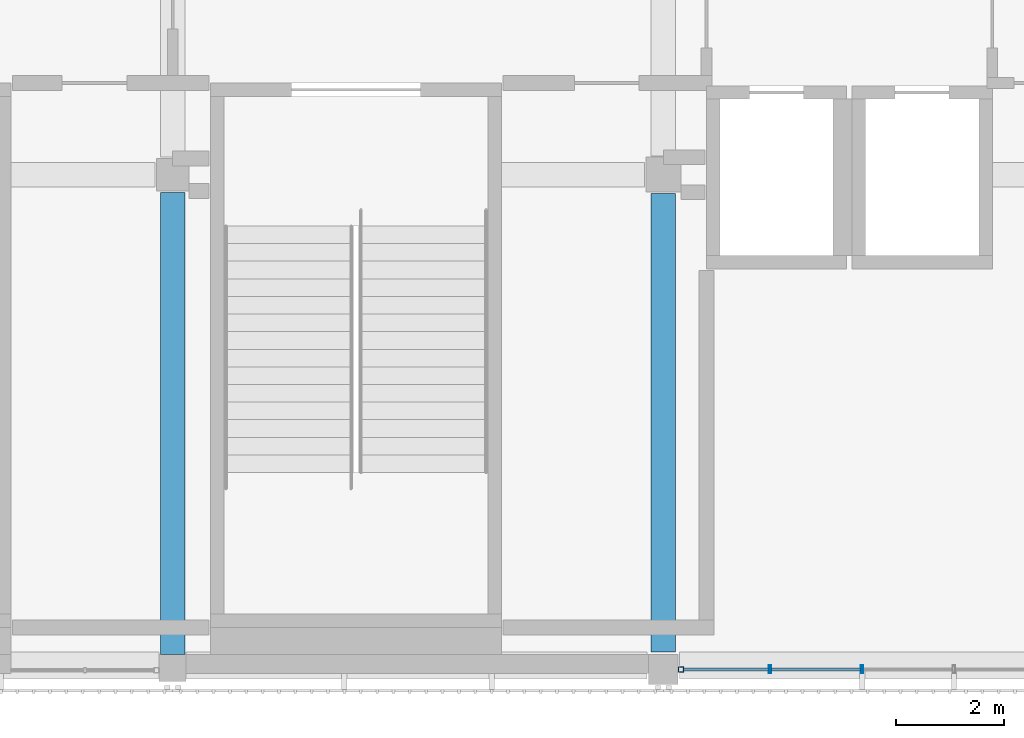
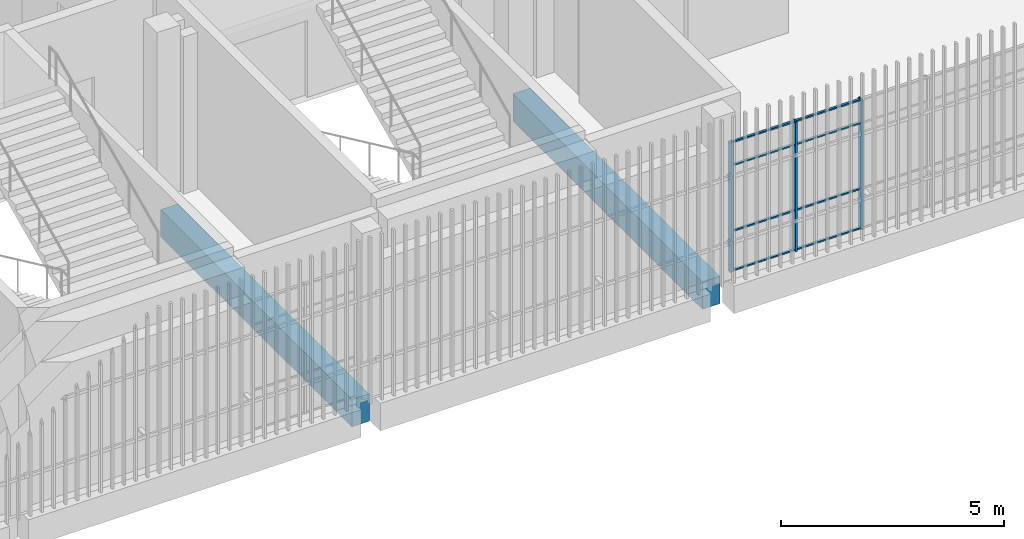
# One storey, part 5 of 139: 11 members, 2 beams, 1 element without a shape of its own.
"""IFC4 building model written with IfcOpenShell, lengths in metres."""

from ifc_helpers import new_model, si_unit, direction, frame, origin, origin_2d, place, context, subcontext, project, spatial, rectangle, hollow_rectangle, extrude, material, layer, layer_set, material_profile, profile_set, type_object, element, aggregate, save


model = new_model("IFC4")

# Units and contexts
model_context = context("Model", 3, precision=1e-05, world=origin(), true_north=direction((0.0, 1.0)))
body_context = subcontext(model_context, "Body", "Model", "MODEL_VIEW")
ifc_project = project(units=[si_unit("LENGTHUNIT", "METRE"), si_unit("AREAUNIT", "SQUARE_METRE"), si_unit("VOLUMEUNIT", "CUBIC_METRE"), si_unit("PLANEANGLEUNIT", "RADIAN"), si_unit("MASSUNIT", "GRAM", prefix="KILO")], contexts=[model_context])

# Site, building, storey
site_placement = place(None, origin())
site = spatial("IfcSite", under=ifc_project, at=site_placement, CompositionType="ELEMENT")
building_placement = place(site_placement, origin())
building = spatial("IfcBuilding", under=site, at=building_placement, Name="Shirokan Park Arena", CompositionType="ELEMENT")
storey_placement = place(building_placement, frame((0.0, 0.0, 15.469970703125)))
storey = spatial("IfcBuildingStorey", under=building, at=storey_placement, Name="L03", CompositionType="ELEMENT", Elevation=15.469970703125)

# Curtain wall, members
ifc_material_1 = material(Name="Steel and glass curtain wall", Category="steel")
ifc_layer = layer(ifc_material_1, 0.14990234375)
ifc_layer_set = layer_set([ifc_layer], Name="Steel and glass curtain wall 150 mm")
curtain_wall_type = type_object("IfcCurtainWallType", Name="Curtain wall exposed bay 150", PredefinedType="NOTDEFINED", material=ifc_layer_set)
curtain_wall_placement = place(storey_placement, origin())
curtain_wall = element("IfcCurtainWall", 1, at=curtain_wall_placement, inside=storey, type_object=curtain_wall_type, Name="Curtain wall south bay 4 L03", PredefinedType="NOTDEFINED")
ifc_material_2 = material(Name="Steel S355", Category="steel")
ifc_material_profile_1 = material_profile(ifc_material_2, hollow_rectangle(XDim=0.10009765625, YDim=0.10009765625, WallThickness=0.006103515625, at=origin_2d()), Name="RHS 100x100x6")
ifc_profile_set_1 = profile_set([ifc_material_profile_1], Name="Steel S355")
member_type_1 = type_object("IfcMemberType", Name="Mullion RHS 100x100x6", PredefinedType="MULLION", material=ifc_profile_set_1)
member_1_placement = place(storey_placement, frame((27.625, -0.074951171875, 0.0), z_axis=(0.0, 0.0, 1.0), x_axis=(0.0, 1.0, 0.0)))
member_1 = element("IfcMember", 2, at=member_1_placement, type_object=member_type_1, Name="CW1 mullion 1", PredefinedType="MULLION", context=body_context, shape_type="SweptSolid", body=[
    extrude(hollow_rectangle(XDim=0.10009765625, YDim=0.10009765625, WallThickness=0.006103515625, at=origin_2d()), origin(), (0.0, 0.0, 1.0), 3.550048828125),
])
ifc_material_profile_2 = material_profile(ifc_material_2, hollow_rectangle(XDim=0.14990234375, YDim=0.050048828125, WallThickness=0.006103515625, at=origin_2d()), Name="RHS 150x50x6")
ifc_profile_set_2 = profile_set([ifc_material_profile_2], Name="Steel S355")
member_type_2 = type_object("IfcMemberType", Name="Mullion RHS 150x50x6", PredefinedType="MULLION", material=ifc_profile_set_2)
member_2_placement = place(storey_placement, frame((29.280029296875, -0.074951171875, 0.0), z_axis=(0.0, 0.0, 1.0), x_axis=(0.0, 1.0, 0.0)))
member_2 = element("IfcMember", 3, at=member_2_placement, type_object=member_type_2, Name="CW1 mullion 2", PredefinedType="MULLION", context=body_context, shape_type="SweptSolid", body=[
    extrude(hollow_rectangle(XDim=0.14990234375, YDim=0.050048828125, WallThickness=0.006103515625, at=origin_2d()), origin(), (0.0, 0.0, 1.0), 3.550048828125),
])
member_3_placement = place(storey_placement, frame((30.985107421875, -0.074951171875, 0.0), z_axis=(0.0, 0.0, 1.0), x_axis=(0.0, 1.0, 0.0)))
member_3 = element("IfcMember", 4, at=member_3_placement, type_object=member_type_2, Name="CW1 mullion 3", PredefinedType="MULLION", context=body_context, shape_type="SweptSolid", body=[
    extrude(hollow_rectangle(XDim=0.14990234375, YDim=0.050048828125, WallThickness=0.006103515625, at=origin_2d()), origin(), (0.0, 0.0, 1.0), 3.550048828125),
])

# Beams
ifc_material_3 = material(Name="Concrete C35", Category="concrete")
ifc_material_profile_3 = material_profile(ifc_material_3, rectangle(XDim=0.449951171875, YDim=0.75, at=origin_2d()), Name="450x750")
ifc_profile_set_3 = profile_set([ifc_material_profile_3], Name="Concrete C35")
beam_type = type_object("IfcBeamType", Name="RC girder 450x750", PredefinedType="BEAM", material=ifc_profile_set_3)
beam_1_placement = place(storey_placement, frame((18.199951171875, 0.2001953125, -0.675048828125), z_axis=(0.0, 1.0, 0.0), x_axis=(-1.0, 0.0, 0.0)))
element("IfcBeam", 5, at=beam_1_placement, inside=storey, type_object=beam_type, Name="Girder 3A-3B L03", PredefinedType="BEAM", context=body_context, shape_type="SweptSolid", body=[
    extrude(rectangle(XDim=0.449951171875, YDim=0.75, at=origin_2d()), origin(), (0.0, 0.0, 1.0), 8.57470703125),
])
beam_2_placement = place(storey_placement, frame((27.300048828125, 0.25, -0.675048828125), z_axis=(0.0, 1.0, 0.0), x_axis=(-1.0, 0.0, 0.0)))
element("IfcBeam", 6, at=beam_2_placement, inside=storey, type_object=beam_type, Name="Girder 4A-4B L03", PredefinedType="BEAM", context=body_context, shape_type="SweptSolid", body=[
    extrude(rectangle(XDim=0.449951171875, YDim=0.75, at=origin_2d()), origin(), (0.0, 0.0, 1.0), 8.5),
])

# Member
ifc_material_profile_4 = material_profile(ifc_material_2, hollow_rectangle(XDim=0.06005859375, YDim=0.0400390625, WallThickness=0.00390625, at=origin_2d()), Name="RHS 60x40x4")
ifc_profile_set_4 = profile_set([ifc_material_profile_4], Name="Steel S355")
member_type_3 = type_object("IfcMemberType", Name="Transom RHS 60x40x4", PredefinedType="MULLION", material=ifc_profile_set_4)
member_4_placement = place(storey_placement, frame((27.675048828125, -0.074951171875, 0.02001953125), z_axis=(1.0, 0.0, 0.0), x_axis=(0.0, 1.0, 0.0)))
member_4 = element("IfcMember", 7, at=member_4_placement, type_object=member_type_3, Name="CW1 transom 1.1", PredefinedType="MULLION", context=body_context, shape_type="SweptSolid", body=[
    extrude(hollow_rectangle(XDim=0.06005859375, YDim=0.0400390625, WallThickness=0.00390625, at=origin_2d()), origin(), (0.0, 0.0, 1.0), 1.579833984375),
])

member_5_placement = place(storey_placement, frame((27.675048828125, -0.074951171875, 1.10009765625), z_axis=(1.0, 0.0, 0.0), x_axis=(0.0, 1.0, 0.0)))
member_5 = element("IfcMember", 8, at=member_5_placement, type_object=member_type_3, Name="CW1 transom 1.2", PredefinedType="MULLION", context=body_context, shape_type="SweptSolid", body=[
    extrude(hollow_rectangle(XDim=0.06005859375, YDim=0.0400390625, WallThickness=0.00390625, at=origin_2d()), origin(), (0.0, 0.0, 1.0), 1.579833984375),
])

member_6_placement = place(storey_placement, frame((27.675048828125, -0.074951171875, 2.900146484375), z_axis=(1.0, 0.0, 0.0), x_axis=(0.0, 1.0, 0.0)))
member_6 = element("IfcMember", 9, at=member_6_placement, type_object=member_type_3, Name="CW1 transom 1.3", PredefinedType="MULLION", context=body_context, shape_type="SweptSolid", body=[
    extrude(hollow_rectangle(XDim=0.06005859375, YDim=0.0400390625, WallThickness=0.00390625, at=origin_2d()), origin(), (0.0, 0.0, 1.0), 1.579833984375),
])

member_7_placement = place(storey_placement, frame((27.675048828125, -0.074951171875, 3.530029296875), z_axis=(1.0, 0.0, 0.0), x_axis=(0.0, 1.0, 0.0)))
member_7 = element("IfcMember", 10, at=member_7_placement, type_object=member_type_3, Name="CW1 transom 1.4", PredefinedType="MULLION", context=body_context, shape_type="SweptSolid", body=[
    extrude(hollow_rectangle(XDim=0.06005859375, YDim=0.0400390625, WallThickness=0.00390625, at=origin_2d()), origin(), (0.0, 0.0, 1.0), 1.579833984375),
])

member_8_placement = place(storey_placement, frame((29.304931640625, -0.074951171875, 0.02001953125), z_axis=(1.0, 0.0, 0.0), x_axis=(0.0, 1.0, 0.0)))
member_8 = element("IfcMember", 11, at=member_8_placement, type_object=member_type_3, Name="CW1 transom 2.1", PredefinedType="MULLION", context=body_context, shape_type="SweptSolid", body=[
    extrude(hollow_rectangle(XDim=0.06005859375, YDim=0.0400390625, WallThickness=0.00390625, at=origin_2d()), origin(), (0.0, 0.0, 1.0), 1.655029296875),
])

member_9_placement = place(storey_placement, frame((29.304931640625, -0.074951171875, 1.10009765625), z_axis=(1.0, 0.0, 0.0), x_axis=(0.0, 1.0, 0.0)))
member_9 = element("IfcMember", 12, at=member_9_placement, type_object=member_type_3, Name="CW1 transom 2.2", PredefinedType="MULLION", context=body_context, shape_type="SweptSolid", body=[
    extrude(hollow_rectangle(XDim=0.06005859375, YDim=0.0400390625, WallThickness=0.00390625, at=origin_2d()), origin(), (0.0, 0.0, 1.0), 1.655029296875),
])

member_10_placement = place(storey_placement, frame((29.304931640625, -0.074951171875, 2.900146484375), z_axis=(1.0, 0.0, 0.0), x_axis=(0.0, 1.0, 0.0)))
member_10 = element("IfcMember", 13, at=member_10_placement, type_object=member_type_3, Name="CW1 transom 2.3", PredefinedType="MULLION", context=body_context, shape_type="SweptSolid", body=[
    extrude(hollow_rectangle(XDim=0.06005859375, YDim=0.0400390625, WallThickness=0.00390625, at=origin_2d()), origin(), (0.0, 0.0, 1.0), 1.655029296875),
])

member_11_placement = place(storey_placement, frame((29.304931640625, -0.074951171875, 3.530029296875), z_axis=(1.0, 0.0, 0.0), x_axis=(0.0, 1.0, 0.0)))
member_11 = element("IfcMember", 14, at=member_11_placement, type_object=member_type_3, Name="CW1 transom 2.4", PredefinedType="MULLION", context=body_context, shape_type="SweptSolid", body=[
    extrude(hollow_rectangle(XDim=0.06005859375, YDim=0.0400390625, WallThickness=0.00390625, at=origin_2d()), origin(), (0.0, 0.0, 1.0), 1.655029296875),
])

aggregate(curtain_wall, [member_1, member_2, member_3, member_4, member_5, member_6, member_7, member_8, member_9, member_10, member_11])

save(model, "model.ifc")
